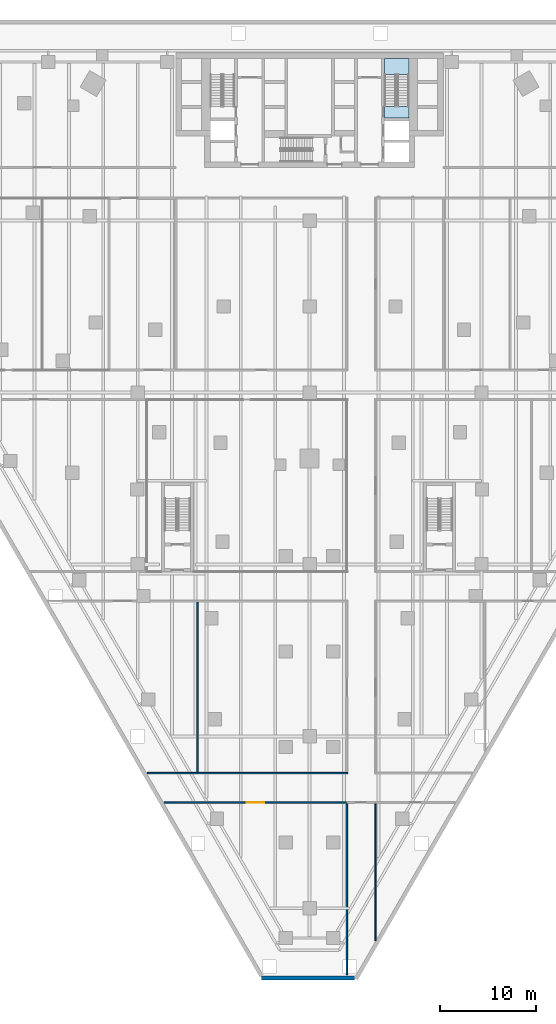
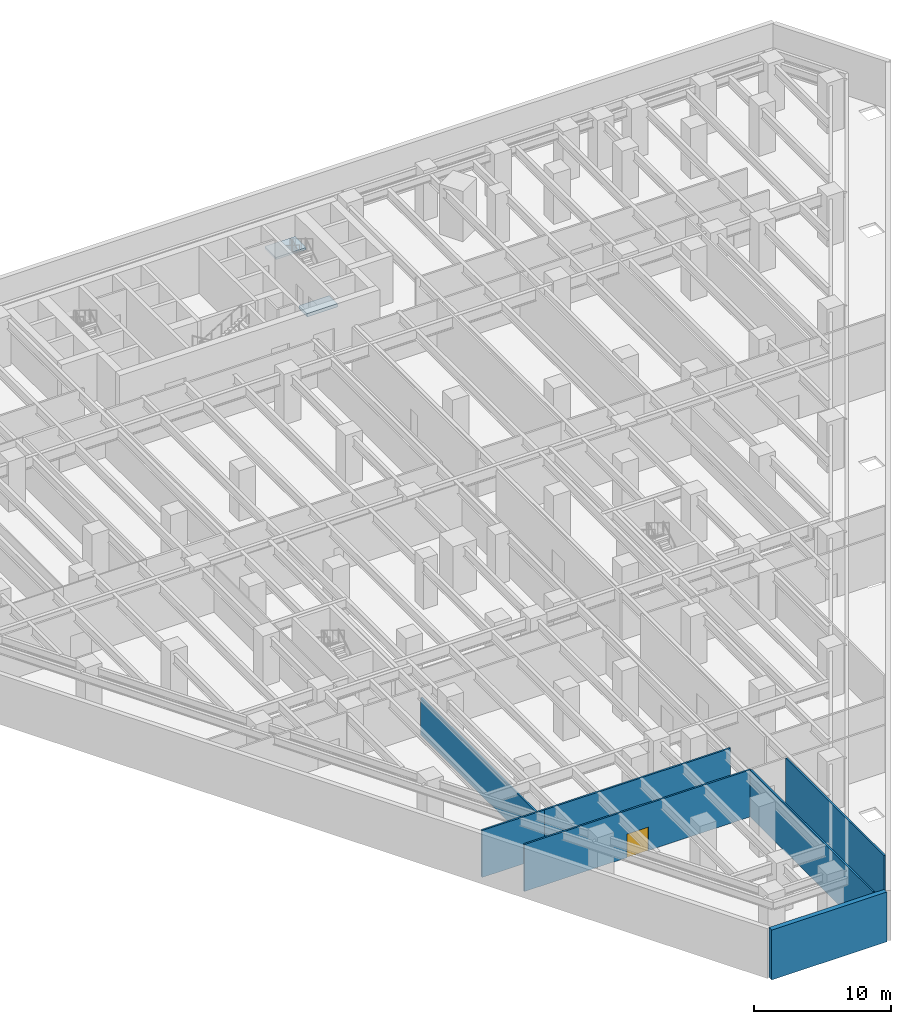
# One storey, part 7 of 20: 7 walls, 2 slabs, 1 door, 1 opening, 1 element without a shape of its own.
"""IFC4 building model written with IfcOpenShell, lengths in metres."""

from ifc_helpers import new_model, si_unit, direction, frame, frame_2d, origin, place, context, subcontext, project, spatial, polyline, rectangle, outline, extrude, material, layer, layer_set, type_object, element, fill, aggregate, save


model = new_model("IFC4")

# Units and contexts
model_context = context("Model", 3, precision=1e-05, world=origin(), true_north=direction((0.0, 1.0)))
body_context = subcontext(model_context, "Body", "Model", "MODEL_VIEW")
ifc_project = project(units=[si_unit("LENGTHUNIT", "METRE"), si_unit("AREAUNIT", "SQUARE_METRE"), si_unit("VOLUMEUNIT", "CUBIC_METRE"), si_unit("PLANEANGLEUNIT", "RADIAN"), si_unit("MASSUNIT", "GRAM", prefix="KILO")], contexts=[model_context])

# Site, building, storey
site_placement = place(None, origin())
site = spatial("IfcSite", under=ifc_project, at=site_placement, CompositionType="ELEMENT")
building_placement = place(site_placement, origin())
building = spatial("IfcBuilding", under=site, at=building_placement, Name="Aloe Facet Convention Tower", CompositionType="ELEMENT")
storey_placement = place(building_placement, frame((0.0, 0.0, -4.5)))
storey = spatial("IfcBuildingStorey", under=building, at=storey_placement, Name="B1", CompositionType="ELEMENT", Elevation=-4.5)

# Slab
ifc_material_1 = material(Name="Concrete C80/95", Category="concrete")
ifc_layer_1 = layer(ifc_material_1, 0.300048828125)
ifc_layer_set_1 = layer_set([ifc_layer_1], Name="CR-S-FLOOR300-C8095")
slab_type_1 = type_object("IfcSlabType", Name="CR-S-FLOOR300-C8095", PredefinedType="FLOOR", material=ifc_layer_set_1)
slab_1_placement = place(storey_placement, frame((0.0, 0.0, -0.300048828125)))
element("IfcSlab", 1, at=slab_1_placement, inside=storey, type_object=slab_type_1, Name="Stair landing floor B1", PredefinedType="FLOOR", context=body_context, shape_type="SweptSolid", body=[
    extrude(outline(polyline([(90.39990234375, 127.75), (90.39990234375, 128.951171875), (87.85009765625, 128.951171875), (87.85009765625, 127.75), (90.39990234375, 127.75)])), origin(), (0.0, 0.0, 1.0), 0.300048828125),
])

# Stair, slab
ifc_material_2 = material(Name="Concrete C50/60", Category="concrete")
stair_type = type_object("IfcStairType", Name="CR-ST-26R", PredefinedType="HALF_TURN_STAIR", material=ifc_material_2)
stair_placement = place(storey_placement, origin())
stair = element("IfcStair", 2, at=stair_placement, inside=storey, type_object=stair_type, Name="B1 Protected exit stair ST2", PredefinedType="HALF_TURN_STAIR")
ifc_material_3 = material(Name="Concrete C50/60", Category="concrete")
ifc_layer_2 = layer(ifc_material_3, 0.199951171875)
ifc_layer_set_2 = layer_set([ifc_layer_2], Name="CR-SL-LANDING")
slab_type_2 = type_object("IfcSlabType", Name="CR-SL-LANDING", PredefinedType="LANDING", material=ifc_layer_set_2)
slab_2_placement = place(storey_placement, frame((0.0, 0.0, 2.050048828125)))
slab_2 = element("IfcSlab", 3, at=slab_2_placement, type_object=slab_type_2, Name="ST2 landing 1", PredefinedType="LANDING", context=body_context, shape_type="SweptSolid", body=[
    extrude(outline(polyline([(90.39990234375, 132.31005859375), (90.39990234375, 133.949951171875), (87.85009765625, 133.949951171875), (87.85009765625, 132.31005859375), (90.39990234375, 132.31005859375)])), origin(), (0.0, 0.0, 1.0), 0.199951171875),
])
aggregate(stair, [slab_2])

# Wall
ifc_material_4 = material(Name="Gypsum board partition on steel studs, double layer", Category="steel")
ifc_layer_3 = layer(ifc_material_4, 0.14990234375)
ifc_layer_set_3 = layer_set([ifc_layer_3], Name="IN-POD-W-CORR")
wall_type_1 = type_object("IfcWallType", Name="IN-POD-W-CORR", PredefinedType="PARTITIONING", material=ifc_layer_set_3)
wall_1_placement = place(storey_placement, frame((83.89990234375, 38.0400390625, 0.0), z_axis=(0.0, 0.0, 1.0), x_axis=(0.0, 1.0, 0.0)))
element("IfcWall", 4, at=wall_1_placement, inside=storey, type_object=wall_type_1, Name="Partition B1-W001", PredefinedType="PARTITIONING", context=body_context, shape_type="SweptSolid", body=[
    extrude(rectangle(XDim=17.93505859375, YDim=0.14990234375, at=frame_2d((8.967529296875, 0.0))), origin(), (0.0, 0.0, 1.0), 4.199951171875),
])

# Wall, opening, door
wall_2_placement = place(storey_placement, frame((64.769775390625, 56.050048828125, 0.0), z_axis=(0.0, 0.0, 1.0), x_axis=(1.0, 0.0, 0.0)))
wall_2 = element("IfcWall", 5, at=wall_2_placement, inside=storey, type_object=wall_type_1, Name="Partition B1-W002", PredefinedType="PARTITIONING", context=body_context, shape_type="SweptSolid", body=[
    extrude(rectangle(XDim=19.130126953125, YDim=0.14990234375, at=frame_2d((9.56494140625, 0.0))), origin(), (0.0, 0.0, 1.0), 4.199951171875),
])
opening_placement = place(wall_2_placement, frame((8.6650390625, 0.0, 0.0)))
opening = element("IfcOpeningElement", 6, at=opening_placement, cuts=wall_2, Name="Opening B1-022", PredefinedType="OPENING", context=body_context, shape_type="SweptSolid", body=[
    extrude(rectangle(XDim=1.800048828125, YDim=2.10009765625, at=frame_2d((0.89990234375, 1.050048828125))), frame((0.0, 0.0849609375, 0.0), z_axis=(0.0, -1.0, 0.0), x_axis=(1.0, 0.0, 0.0)), (0.0, 0.0, 1.0), 0.169921875),
])
ifc_material_5 = material(Name="Steel flush door pair, galvanised", Category="steel")
door_type = type_object("IfcDoorType", Name="IN-POD-D-PLANTPAIR", OperationType="DOUBLE_DOOR_SINGLE_SWING", PredefinedType="DOOR", material=ifc_material_5)
door_placement = place(opening_placement, origin())
door = element("IfcDoor", 7, at=door_placement, inside=storey, type_object=door_type, Name="Door B1-022", OperationType="SINGLE_SWING_LEFT", OverallHeight=2.10009765625, OverallWidth=1.800048828125, PredefinedType="DOOR", context=body_context, shape_type="SweptSolid", body=[
    extrude(rectangle(XDim=1.800048828125, YDim=2.10009765625, at=frame_2d((0.89990234375, 1.050048828125))), frame((0.0, 0.02490234375, 0.0), z_axis=(0.0, -1.0, 0.0), x_axis=(1.0, 0.0, 0.0)), (0.0, 0.0, 1.0), 0.050048828125),
])
fill(opening, door)

# Walls
wall_3_placement = place(storey_placement, frame((86.89990234375, 41.62158203125, 0.0), z_axis=(0.0, 0.0, 1.0), x_axis=(0.0, 1.0, 0.0)))
element("IfcWall", 8, at=wall_3_placement, inside=storey, type_object=wall_type_1, Name="Partition B1-W004", PredefinedType="PARTITIONING", context=body_context, shape_type="SweptSolid", body=[
    extrude(rectangle(XDim=14.353515625, YDim=0.14990234375, at=frame_2d((7.1767578125, 0.0))), origin(), (0.0, 0.0, 1.0), 4.199951171875),
])
wall_4_placement = place(storey_placement, frame((62.97998046875, 59.14990234375, 0.0), z_axis=(0.0, 0.0, 1.0), x_axis=(1.0, 0.0, 0.0)))
element("IfcWall", 9, at=wall_4_placement, inside=storey, type_object=wall_type_1, Name="Partition B1-W006", PredefinedType="PARTITIONING", context=body_context, shape_type="SweptSolid", body=[
    extrude(rectangle(XDim=5.263916015625, YDim=0.14990234375, at=frame_2d((2.6318359375, 0.0))), origin(), (0.0, 0.0, 1.0), 4.199951171875),
])
wall_5_placement = place(storey_placement, frame((68.243896484375, 59.22509765625, 0.0), z_axis=(0.0, 0.0, 1.0), x_axis=(0.0, 1.0, 0.0)))
element("IfcWall", 10, at=wall_5_placement, inside=storey, type_object=wall_type_1, Name="Partition B1-W007", PredefinedType="PARTITIONING", context=body_context, shape_type="SweptSolid", body=[
    extrude(rectangle(XDim=17.849853515625, YDim=0.14990234375, at=frame_2d((8.9248046875, 0.0))), origin(), (0.0, 0.0, 1.0), 3.339111328125),
])
wall_6_placement = place(storey_placement, frame((68.243896484375, 59.14990234375, 0.0), z_axis=(0.0, 0.0, 1.0), x_axis=(1.0, 0.0, 0.0)))
element("IfcWall", 11, at=wall_6_placement, inside=storey, type_object=wall_type_1, Name="Partition B1-W008", PredefinedType="PARTITIONING", context=body_context, shape_type="SweptSolid", body=[
    extrude(rectangle(XDim=15.731201171875, YDim=0.14990234375, at=frame_2d((7.86572265625, 0.0))), origin(), (0.0, 0.0, 1.0), 4.199951171875),
])
ifc_material_6 = material(Name="Concrete C40/50", Category="concrete")
ifc_layer_4 = layer(ifc_material_6, 0.39990234375)
ifc_layer_set_4 = layer_set([ifc_layer_4], Name="SF-RW-400")
wall_type_2 = type_object("IfcWallType", Name="SF-RW-400", PredefinedType="SOLIDWALL", material=ifc_layer_set_4)
wall_7_placement = place(storey_placement, frame((84.691650390625, 37.686279296875, -0.25), z_axis=(0.0, 0.0, 1.0), x_axis=(-1.0, 0.0, 0.0)))
element("IfcWall", 12, at=wall_7_placement, inside=storey, type_object=wall_type_2, Name="RETAINING WALL B1-02", PredefinedType="SOLIDWALL", context=body_context, shape_type="SweptSolid", body=[
    extrude(rectangle(XDim=9.7236328125, YDim=0.39990234375, at=frame_2d((4.86181640625, 0.0))), origin(), (0.0, 0.0, 1.0), 4.449951171875),
])

save(model, "model.ifc")
